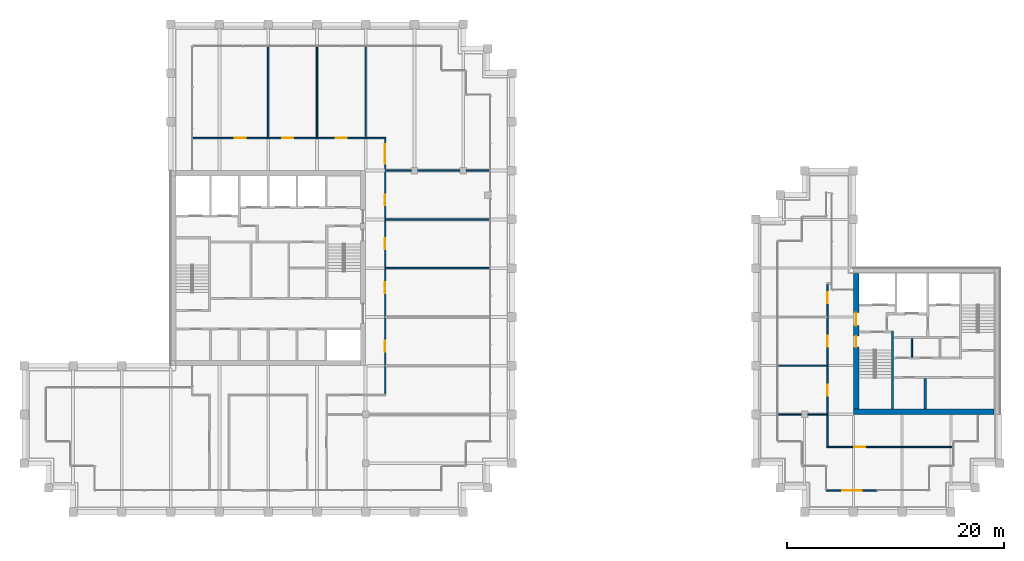
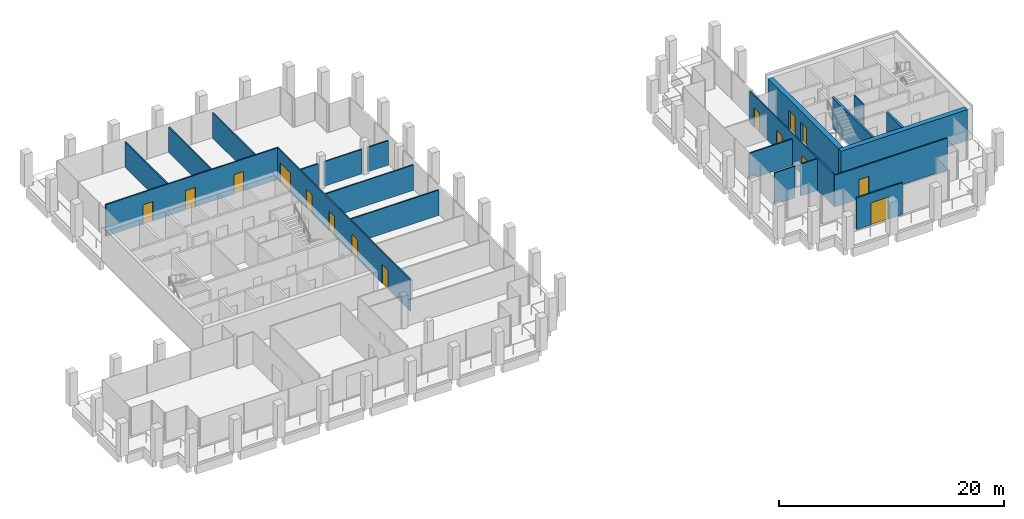
# One storey, part 37 of 41: 21 walls, 15 doors, 15 openings.
"""IFC4 building model written with IfcOpenShell, lengths in metres."""

from ifc_helpers import new_model, si_unit, direction, frame, frame_2d, origin, place, context, subcontext, project, spatial, rectangle, extrude, material, layer, layer_set, type_object, element, fill, save


model = new_model("IFC4")

# Units and contexts
model_context = context("Model", 3, precision=1e-05, world=origin(), true_north=direction((0.0, 1.0)))
body_context = subcontext(model_context, "Body", "Model", "MODEL_VIEW")
ifc_project = project(units=[si_unit("LENGTHUNIT", "METRE"), si_unit("AREAUNIT", "SQUARE_METRE"), si_unit("VOLUMEUNIT", "CUBIC_METRE"), si_unit("PLANEANGLEUNIT", "RADIAN"), si_unit("MASSUNIT", "GRAM", prefix="KILO")], contexts=[model_context])

# Site, building, storey
site_placement = place(None, origin())
site = spatial("IfcSite", under=ifc_project, at=site_placement, CompositionType="ELEMENT")
building_placement = place(site_placement, origin())
building = spatial("IfcBuilding", under=site, at=building_placement, Name="Altepetl Exchange Towers", CompositionType="ELEMENT")
storey_placement = place(building_placement, frame((0.0, 0.0, 206.39990234375)))
storey = spatial("IfcBuildingStorey", under=building, at=storey_placement, Name="L52", CompositionType="ELEMENT", Elevation=206.39990234375)

# Wall
ifc_material_1 = material(Name="Concrete C70/85", Category="concrete")
ifc_layer_1 = layer(ifc_material_1, 0.5)
ifc_layer_set_1 = layer_set([ifc_layer_1], Name="Concrete C70/85")
wall_type_1 = type_object("IfcWallType", Name="Core wall 500 reinforced concrete", PredefinedType="SHEAR", material=ifc_layer_set_1)
wall_1_placement = place(storey_placement, frame((103.5, 36.25, 0.0)))
element("IfcWall", 1, at=wall_1_placement, inside=storey, type_object=wall_type_1, Name="wall:B:L52:K-coreS", PredefinedType="SHEAR", context=body_context, shape_type="SweptSolid", body=[
    extrude(rectangle(XDim=13.0, YDim=0.5, at=frame_2d((6.5, 0.0))), origin(), (0.0, 0.0, 1.0), 3.35009765625),
])

# Wall, openings, doors
wall_2_placement = place(storey_placement, frame((103.75, 36.5, 0.0), z_axis=(0.0, 0.0, 1.0), x_axis=(0.0, 1.0, 0.0)))
wall_2 = element("IfcWall", 2, at=wall_2_placement, inside=storey, type_object=wall_type_1, Name="wall:B:L52:K-coreW", PredefinedType="SHEAR", context=body_context, shape_type="SweptSolid", body=[
    extrude(rectangle(XDim=12.5, YDim=0.5, at=frame_2d((6.25, 0.0))), origin(), (0.0, 0.0, 1.0), 3.35009765625),
])
opening_1_placement = place(wall_2_placement, frame((7.699951171875, 0.0, 0.0)))
opening_1 = element("IfcOpeningElement", 3, at=opening_1_placement, cuts=wall_2, Name="Opening L52.B60", PredefinedType="OPENING", context=body_context, shape_type="SweptSolid", body=[
    extrude(rectangle(XDim=1.199951171875, YDim=2.10009765625, at=frame_2d((0.60009765625, 1.050048828125))), frame((0.0, 0.260009765625, 0.0), z_axis=(0.0, -1.0, 0.0), x_axis=(1.0, 0.0, 0.0)), (0.0, 0.0, 1.0), 0.52001953125),
])
opening_2_placement = place(wall_2_placement, frame((5.72509765625, 0.0, 0.0)))
opening_2 = element("IfcOpeningElement", 4, at=opening_2_placement, cuts=wall_2, Name="Opening L52.B62", PredefinedType="OPENING", context=body_context, shape_type="SweptSolid", body=[
    extrude(rectangle(XDim=1.0, YDim=2.10009765625, at=frame_2d((0.5, 1.050048828125))), frame((0.0, 0.260009765625, 0.0), z_axis=(0.0, -1.0, 0.0), x_axis=(1.0, 0.0, 0.0)), (0.0, 0.0, 1.0), 0.52001953125),
])
ifc_material_2 = material(Name="Steel and timber fire door", Category="steel")
door_type_1 = type_object("IfcDoorType", Name="Fire door 1000 x 2100 stair and lobby", OperationType="SINGLE_SWING_LEFT", PredefinedType="DOOR", material=ifc_material_2)
door_1_placement = place(opening_2_placement, frame((1.0, 0.0, 0.0), x_axis=(-1.0, 0.0, 0.0)))
door_1 = element("IfcDoor", 5, at=door_1_placement, inside=storey, type_object=door_type_1, Name="door:B:L52:K-dS1x", OperationType="SINGLE_SWING_RIGHT", OverallHeight=2.10009765625, OverallWidth=1.0, PredefinedType="DOOR", context=body_context, shape_type="SweptSolid", body=[
    extrude(rectangle(XDim=1.0, YDim=2.10009765625, at=frame_2d((0.5, 1.050048828125))), frame((0.0, 0.02490234375, 0.0), z_axis=(0.0, -1.0, 0.0), x_axis=(1.0, 0.0, 0.0)), (0.0, 0.0, 1.0), 0.050048828125),
])
fill(opening_2, door_1)
door_type_2 = type_object("IfcDoorType", Name="Fire door 1200 x 2100 lobby entry", OperationType="SINGLE_SWING_LEFT", PredefinedType="DOOR", material=ifc_material_2)
door_2_placement = place(opening_1_placement, frame((1.199951171875, 0.0, 0.0), x_axis=(-1.0, 0.0, 0.0)))
door_2 = element("IfcDoor", 6, at=door_2_placement, inside=storey, type_object=door_type_2, Name="door:B:L52:K-dLNW", OperationType="SINGLE_SWING_RIGHT", OverallHeight=2.10009765625, OverallWidth=1.199951171875, PredefinedType="DOOR", context=body_context, shape_type="SweptSolid", body=[
    extrude(rectangle(XDim=1.199951171875, YDim=2.10009765625, at=frame_2d((0.60009765625, 1.050048828125))), frame((0.0, 0.02490234375, 0.0), z_axis=(0.0, -1.0, 0.0), x_axis=(1.0, 0.0, 0.0)), (0.0, 0.0, 1.0), 0.050048828125),
])
fill(opening_1, door_2)

# Wall, opening, door
ifc_material_3 = material(Name="Aluminium composite cladding", Category="aluminium")
ifc_layer_2 = layer(ifc_material_3, 0.14990234375)
ifc_layer_set_2 = layer_set([ifc_layer_2], Name="Aluminium composite cladding")
wall_type_2 = type_object("IfcWallType", Name="Infill wall 150 aluminium panel", PredefinedType="SOLIDWALL", material=ifc_layer_set_2)
wall_3_placement = place(storey_placement, frame((101.0, 29.0, 0.0)))
wall_3 = element("IfcWall", 7, at=wall_3_placement, inside=storey, type_object=wall_type_2, Name="Loggia door bay wall", PredefinedType="SOLIDWALL", context=body_context, shape_type="SweptSolid", body=[
    extrude(rectangle(XDim=4.71240234375, YDim=0.14990234375, at=frame_2d((2.356201171875, 0.0))), origin(), (0.0, 0.0, 1.0), 3.4501953125),
])
opening_3_placement = place(wall_3_placement, frame((1.456298828125, 0.0, 0.0)))
opening_3 = element("IfcOpeningElement", 8, at=opening_3_placement, cuts=wall_3, Name="Opening L52.B90", PredefinedType="OPENING", context=body_context, shape_type="SweptSolid", body=[
    extrude(rectangle(XDim=1.800048828125, YDim=2.39990234375, at=frame_2d((0.89990234375, 1.199951171875))), frame((0.0, 0.0849609375, 0.0), z_axis=(0.0, -1.0, 0.0), x_axis=(1.0, 0.0, 0.0)), (0.0, 0.0, 1.0), 0.169921875),
])
ifc_material_4 = material(Name="Aluminium 6063-T6 and glass", Category="aluminium")
door_type_3 = type_object("IfcDoorType", Name="Glazed door pair 1800x2400", OperationType="DOUBLE_DOOR_DOUBLE_SWING", PredefinedType="NOTDEFINED", material=ifc_material_4)
door_3_placement = place(opening_3_placement, frame((1.800048828125, 0.0, 0.0), x_axis=(-1.0, 0.0, 0.0)))
door_3 = element("IfcDoor", 9, at=door_3_placement, inside=storey, type_object=door_type_3, Name="Loggia door", OperationType="DOUBLE_DOOR_DOUBLE_SWING", OverallHeight=2.39990234375, OverallWidth=1.800048828125, PredefinedType="NOTDEFINED", context=body_context, shape_type="SweptSolid", body=[
    extrude(rectangle(XDim=1.800048828125, YDim=2.39990234375, at=frame_2d((0.89990234375, 1.199951171875))), frame((0.0, 0.02490234375, 0.0), z_axis=(0.0, -1.0, 0.0), x_axis=(1.0, 0.0, 0.0)), (0.0, 0.0, 1.0), 0.050048828125),
])
fill(opening_3, door_3)

# Walls
ifc_material_5 = material(Name="Timber panels on aluminium track", Category="wood")
ifc_layer_3 = layer(ifc_material_5, 0.125)
ifc_layer_set_3 = layer_set([ifc_layer_3], Name="Timber panels on aluminium track")
wall_type_3 = type_object("IfcWallType", Name="Operable acoustic partition 125", PredefinedType="MOVABLE", material=ifc_layer_set_3)
wall_4_placement = place(storey_placement, frame((96.60009765625, 40.5, 0.0)))
element("IfcWall", 10, at=wall_4_placement, inside=storey, type_object=wall_type_3, Name="wall:B:L52:P04", PredefinedType="MOVABLE", context=body_context, shape_type="SweptSolid", body=[
    extrude(rectangle(XDim=4.5, YDim=0.125, at=frame_2d((2.25, 0.0))), origin(), (0.0, 0.0, 1.0), 2.85107421875),
])
ifc_material_6 = material(Name="Gypsum board on steel studs", Category="steel")
ifc_layer_4 = layer(ifc_material_6, 0.125)
ifc_layer_set_4 = layer_set([ifc_layer_4], Name="Gypsum board on steel studs")
wall_type_4 = type_object("IfcWallType", Name="Partition 125 gypsum board on steel studs", PredefinedType="PARTITIONING", material=ifc_layer_set_4)
wall_5_placement = place(storey_placement, frame((108.89990234375, 41.300048828125, 0.0), z_axis=(0.0, 0.0, 1.0), x_axis=(0.0, 1.0, 0.0)))
element("IfcWall", 11, at=wall_5_placement, inside=storey, type_object=wall_type_4, Name="wall:B:L52:K-zp1", PredefinedType="PARTITIONING", context=body_context, shape_type="SweptSolid", body=[
    extrude(rectangle(XDim=1.699951171875, YDim=0.125, at=frame_2d((0.85009765625, 0.0))), origin(), (0.0, 0.0, 1.0), 3.35009765625),
])
for number, where, name in (
    (12, (60.300048828125, 49.5, 0.0), "wall:A:L52:P08"),
    (13, (60.300048828125, 54.0, 0.0), "wall:A:L52:P09"),
):
    element("IfcWall", number, at=place(storey_placement, frame(where)), inside=storey, type_object=wall_type_4, Name=name, PredefinedType="PARTITIONING", context=body_context, shape_type="SweptSolid", body=[
        extrude(rectangle(XDim=9.599853515625, YDim=0.125, at=frame_2d((4.7998046875, 0.0))), origin(), (0.0, 0.0, 1.0), 2.772216796875),
    ])
wall_6_placement = place(storey_placement, frame((60.300048828125, 58.5, 0.0)))
element("IfcWall", 14, at=wall_6_placement, inside=storey, type_object=wall_type_4, Name="wall:A:L52:P10", PredefinedType="PARTITIONING", context=body_context, shape_type="SweptSolid", body=[
    extrude(rectangle(XDim=2.39990234375, YDim=0.125, at=frame_2d((1.199951171875, 0.0))), origin(), (0.0, 0.0, 1.0), 2.676025390625),
])
wall_7_placement = place(storey_placement, frame((63.300048828125, 58.5, 0.0)))
element("IfcWall", 15, at=wall_7_placement, inside=storey, type_object=wall_type_4, Name="wall:A:L52:P11", PredefinedType="PARTITIONING", context=body_context, shape_type="SweptSolid", body=[
    extrude(rectangle(XDim=3.89990234375, YDim=0.125, at=frame_2d((1.949951171875, 0.0))), origin(), (0.0, 0.0, 1.0), 2.676025390625),
])
wall_8_placement = place(storey_placement, frame((67.800048828125, 58.5, 0.0)))
element("IfcWall", 16, at=wall_8_placement, inside=storey, type_object=wall_type_4, Name="wall:A:L52:P12", PredefinedType="PARTITIONING", context=body_context, shape_type="SweptSolid", body=[
    extrude(rectangle(XDim=2.099853515625, YDim=0.125, at=frame_2d((1.0498046875, 0.0))), origin(), (0.0, 0.0, 1.0), 2.676025390625),
])

# Wall, openings, doors
wall_9_placement = place(storey_placement, frame((42.60009765625, 61.5, 0.0)))
wall_9 = element("IfcWall", 17, at=wall_9_placement, inside=storey, type_object=wall_type_4, Name="wall:A:L52:P13", PredefinedType="PARTITIONING", context=body_context, shape_type="SweptSolid", body=[
    extrude(rectangle(XDim=17.762451171875, YDim=0.125, at=frame_2d((8.88134765625, 0.0))), origin(), (0.0, 0.0, 1.0), 3.4501953125),
])
opening_4_placement = place(wall_9_placement, frame((13.14990234375, 0.0, 0.0)))
opening_4 = element("IfcOpeningElement", 18, at=opening_4_placement, cuts=wall_9, Name="Opening L52.A10", PredefinedType="OPENING", context=body_context, shape_type="SweptSolid", body=[
    extrude(rectangle(XDim=1.0, YDim=2.10009765625, at=frame_2d((0.5, 1.050048828125))), frame((0.0, 0.072509765625, 0.0), z_axis=(0.0, -1.0, 0.0), x_axis=(1.0, 0.0, 0.0)), (0.0, 0.0, 1.0), 0.14501953125),
])
opening_5_placement = place(wall_9_placement, frame((8.195068359375, 0.0, 0.0)))
opening_5 = element("IfcOpeningElement", 19, at=opening_5_placement, cuts=wall_9, Name="Opening L52.A11", PredefinedType="OPENING", context=body_context, shape_type="SweptSolid", body=[
    extrude(rectangle(XDim=1.0, YDim=2.10009765625, at=frame_2d((0.5, 1.050048828125))), frame((0.0, 0.072509765625, 0.0), z_axis=(0.0, -1.0, 0.0), x_axis=(1.0, 0.0, 0.0)), (0.0, 0.0, 1.0), 0.14501953125),
])
opening_6_placement = place(wall_9_placement, frame((3.824951171875, 0.0, 0.0)))
opening_6 = element("IfcOpeningElement", 20, at=opening_6_placement, cuts=wall_9, Name="Opening L52.A12", PredefinedType="OPENING", context=body_context, shape_type="SweptSolid", body=[
    extrude(rectangle(XDim=1.0, YDim=2.10009765625, at=frame_2d((0.5, 1.050048828125))), frame((0.0, 0.072509765625, 0.0), z_axis=(0.0, -1.0, 0.0), x_axis=(1.0, 0.0, 0.0)), (0.0, 0.0, 1.0), 0.14501953125),
])
door_type_4 = type_object("IfcDoorType", Name="Fire door 1000 x 2100 single leaf", OperationType="SINGLE_SWING_LEFT", PredefinedType="DOOR", material=ifc_material_2)
door_4_placement = place(opening_4_placement, origin())
door_4 = element("IfcDoor", 21, at=door_4_placement, inside=storey, type_object=door_type_4, Name="door:A:L52:10", OperationType="SINGLE_SWING_LEFT", OverallHeight=2.10009765625, OverallWidth=1.0, PredefinedType="DOOR", context=body_context, shape_type="SweptSolid", body=[
    extrude(rectangle(XDim=1.0, YDim=2.10009765625, at=frame_2d((0.5, 1.050048828125))), frame((0.0, 0.02490234375, 0.0), z_axis=(0.0, -1.0, 0.0), x_axis=(1.0, 0.0, 0.0)), (0.0, 0.0, 1.0), 0.050048828125),
])
fill(opening_4, door_4)
door_5_placement = place(opening_5_placement, origin())
door_5 = element("IfcDoor", 22, at=door_5_placement, inside=storey, type_object=door_type_4, Name="door:A:L52:11", OperationType="SINGLE_SWING_RIGHT", OverallHeight=2.10009765625, OverallWidth=1.0, PredefinedType="DOOR", context=body_context, shape_type="SweptSolid", body=[
    extrude(rectangle(XDim=1.0, YDim=2.10009765625, at=frame_2d((0.5, 1.050048828125))), frame((0.0, 0.02490234375, 0.0), z_axis=(0.0, -1.0, 0.0), x_axis=(1.0, 0.0, 0.0)), (0.0, 0.0, 1.0), 0.050048828125),
])
fill(opening_5, door_5)
door_6_placement = place(opening_6_placement, origin())
door_6 = element("IfcDoor", 23, at=door_6_placement, inside=storey, type_object=door_type_4, Name="door:A:L52:12", OperationType="SINGLE_SWING_LEFT", OverallHeight=2.10009765625, OverallWidth=1.0, PredefinedType="DOOR", context=body_context, shape_type="SweptSolid", body=[
    extrude(rectangle(XDim=1.0, YDim=2.10009765625, at=frame_2d((0.5, 1.050048828125))), frame((0.0, 0.02490234375, 0.0), z_axis=(0.0, -1.0, 0.0), x_axis=(1.0, 0.0, 0.0)), (0.0, 0.0, 1.0), 0.050048828125),
])
fill(opening_6, door_6)

# Walls
for number, where, z_axis, x_axis, name in (
    (24, (49.5, 61.5, 0.0), (0.0, 0.0, 1.0), (0.0, 1.0, 0.0), "wall:A:L52:P17"),
    (25, (54.0, 61.5, 0.0), (0.0, 0.0, 1.0), (0.0, 1.0, 0.0), "wall:A:L52:P19"),
    (26, (58.5, 61.5, 0.0), (0.0, 0.0, 1.0), (0.0, 1.0, 0.0), "wall:A:L52:P21"),
):
    element("IfcWall", number, at=place(storey_placement, frame(where, z_axis=z_axis, x_axis=x_axis)), inside=storey, type_object=wall_type_4, Name=name, PredefinedType="PARTITIONING", context=body_context, shape_type="SweptSolid", body=[
        extrude(rectangle(XDim=8.39990234375, YDim=0.125, at=frame_2d((4.199951171875, 0.0))), origin(), (0.0, 0.0, 1.0), 2.772216796875),
    ])

# Wall, openings, doors
wall_10_placement = place(storey_placement, frame((60.300048828125, 37.862548828125, 0.0), z_axis=(0.0, 0.0, 1.0), x_axis=(0.0, 1.0, 0.0)))
wall_10 = element("IfcWall", 27, at=wall_10_placement, inside=storey, type_object=wall_type_4, Name="wall:A:L52:P22", PredefinedType="PARTITIONING", context=body_context, shape_type="SweptSolid", body=[
    extrude(rectangle(XDim=23.574951171875, YDim=0.125, at=frame_2d((11.78759765625, 0.0))), origin(), (0.0, 0.0, 1.0), 3.4501953125),
])
opening_7_placement = place(wall_10_placement, frame((3.9326171875, 0.0, 0.0)))
opening_7 = element("IfcOpeningElement", 28, at=opening_7_placement, cuts=wall_10, Name="Opening L52.A05", PredefinedType="OPENING", context=body_context, shape_type="SweptSolid", body=[
    extrude(rectangle(XDim=1.0, YDim=2.10009765625, at=frame_2d((0.5, 1.050048828125))), frame((0.0, 0.072509765625, 0.0), z_axis=(0.0, -1.0, 0.0), x_axis=(1.0, 0.0, 0.0)), (0.0, 0.0, 1.0), 0.14501953125),
])
opening_8_placement = place(wall_10_placement, frame((9.342529296875, 0.0, 0.0)))
opening_8 = element("IfcOpeningElement", 29, at=opening_8_placement, cuts=wall_10, Name="Opening L52.A06", PredefinedType="OPENING", context=body_context, shape_type="SweptSolid", body=[
    extrude(rectangle(XDim=1.0, YDim=2.10009765625, at=frame_2d((0.5, 1.050048828125))), frame((0.0, 0.072509765625, 0.0), z_axis=(0.0, -1.0, 0.0), x_axis=(1.0, 0.0, 0.0)), (0.0, 0.0, 1.0), 0.14501953125),
])
opening_9_placement = place(wall_10_placement, frame((13.387451171875, 0.0, 0.0)))
opening_9 = element("IfcOpeningElement", 30, at=opening_9_placement, cuts=wall_10, Name="Opening L52.A07", PredefinedType="OPENING", context=body_context, shape_type="SweptSolid", body=[
    extrude(rectangle(XDim=1.0, YDim=2.10009765625, at=frame_2d((0.5, 1.050048828125))), frame((0.0, 0.072509765625, 0.0), z_axis=(0.0, -1.0, 0.0), x_axis=(1.0, 0.0, 0.0)), (0.0, 0.0, 1.0), 0.14501953125),
])
opening_10_placement = place(wall_10_placement, frame((17.4326171875, 0.0, 0.0)))
opening_10 = element("IfcOpeningElement", 31, at=opening_10_placement, cuts=wall_10, Name="Opening L52.A08", PredefinedType="OPENING", context=body_context, shape_type="SweptSolid", body=[
    extrude(rectangle(XDim=1.0, YDim=2.10009765625, at=frame_2d((0.5, 1.050048828125))), frame((0.0, 0.072509765625, 0.0), z_axis=(0.0, -1.0, 0.0), x_axis=(1.0, 0.0, 0.0)), (0.0, 0.0, 1.0), 0.14501953125),
])
opening_11_placement = place(wall_10_placement, frame((21.29052734375, 0.0, 0.0)))
opening_11 = element("IfcOpeningElement", 32, at=opening_11_placement, cuts=wall_10, Name="Opening L52.A09", PredefinedType="OPENING", context=body_context, shape_type="SweptSolid", body=[
    extrude(rectangle(XDim=1.800048828125, YDim=2.10009765625, at=frame_2d((0.89990234375, 1.050048828125))), frame((0.0, 0.072509765625, 0.0), z_axis=(0.0, -1.0, 0.0), x_axis=(1.0, 0.0, 0.0)), (0.0, 0.0, 1.0), 0.14501953125),
])
door_7_placement = place(opening_7_placement, frame((1.0, 0.0, 0.0), x_axis=(-1.0, 0.0, 0.0)))
door_7 = element("IfcDoor", 33, at=door_7_placement, inside=storey, type_object=door_type_4, Name="door:A:L52:05", OperationType="SINGLE_SWING_LEFT", OverallHeight=2.10009765625, OverallWidth=1.0, PredefinedType="DOOR", context=body_context, shape_type="SweptSolid", body=[
    extrude(rectangle(XDim=1.0, YDim=2.10009765625, at=frame_2d((0.5, 1.050048828125))), frame((0.0, 0.02490234375, 0.0), z_axis=(0.0, -1.0, 0.0), x_axis=(1.0, 0.0, 0.0)), (0.0, 0.0, 1.0), 0.050048828125),
])
fill(opening_7, door_7)
door_8_placement = place(opening_8_placement, frame((1.0, 0.0, 0.0), x_axis=(-1.0, 0.0, 0.0)))
door_8 = element("IfcDoor", 34, at=door_8_placement, inside=storey, type_object=door_type_4, Name="door:A:L52:06", OperationType="SINGLE_SWING_RIGHT", OverallHeight=2.10009765625, OverallWidth=1.0, PredefinedType="DOOR", context=body_context, shape_type="SweptSolid", body=[
    extrude(rectangle(XDim=1.0, YDim=2.10009765625, at=frame_2d((0.5, 1.050048828125))), frame((0.0, 0.02490234375, 0.0), z_axis=(0.0, -1.0, 0.0), x_axis=(1.0, 0.0, 0.0)), (0.0, 0.0, 1.0), 0.050048828125),
])
fill(opening_8, door_8)
door_9_placement = place(opening_9_placement, frame((1.0, 0.0, 0.0), x_axis=(-1.0, 0.0, 0.0)))
door_9 = element("IfcDoor", 35, at=door_9_placement, inside=storey, type_object=door_type_4, Name="door:A:L52:07", OperationType="SINGLE_SWING_LEFT", OverallHeight=2.10009765625, OverallWidth=1.0, PredefinedType="DOOR", context=body_context, shape_type="SweptSolid", body=[
    extrude(rectangle(XDim=1.0, YDim=2.10009765625, at=frame_2d((0.5, 1.050048828125))), frame((0.0, 0.02490234375, 0.0), z_axis=(0.0, -1.0, 0.0), x_axis=(1.0, 0.0, 0.0)), (0.0, 0.0, 1.0), 0.050048828125),
])
fill(opening_9, door_9)
door_10_placement = place(opening_10_placement, frame((1.0, 0.0, 0.0), x_axis=(-1.0, 0.0, 0.0)))
door_10 = element("IfcDoor", 36, at=door_10_placement, inside=storey, type_object=door_type_4, Name="door:A:L52:08", OperationType="SINGLE_SWING_RIGHT", OverallHeight=2.10009765625, OverallWidth=1.0, PredefinedType="DOOR", context=body_context, shape_type="SweptSolid", body=[
    extrude(rectangle(XDim=1.0, YDim=2.10009765625, at=frame_2d((0.5, 1.050048828125))), frame((0.0, 0.02490234375, 0.0), z_axis=(0.0, -1.0, 0.0), x_axis=(1.0, 0.0, 0.0)), (0.0, 0.0, 1.0), 0.050048828125),
])
fill(opening_10, door_10)
door_type_5 = type_object("IfcDoorType", Name="Fire door 1800 x 2100 double leaf", OperationType="DOUBLE_DOOR_SINGLE_SWING", PredefinedType="DOOR", material=ifc_material_2)
door_11_placement = place(opening_11_placement, frame((1.800048828125, 0.0, 0.0), x_axis=(-1.0, 0.0, 0.0)))
door_11 = element("IfcDoor", 37, at=door_11_placement, inside=storey, type_object=door_type_5, Name="door:A:L52:09", OperationType="DOUBLE_DOOR_SINGLE_SWING", OverallHeight=2.10009765625, OverallWidth=1.800048828125, PredefinedType="DOOR", context=body_context, shape_type="SweptSolid", body=[
    extrude(rectangle(XDim=1.800048828125, YDim=2.10009765625, at=frame_2d((0.89990234375, 1.050048828125))), frame((0.0, 0.02490234375, 0.0), z_axis=(0.0, -1.0, 0.0), x_axis=(1.0, 0.0, 0.0)), (0.0, 0.0, 1.0), 0.050048828125),
])
fill(opening_11, door_11)

# Wall, opening, door
wall_11_placement = place(storey_placement, frame((101.03759765625, 33.0, 0.0)))
wall_11 = element("IfcWall", 38, at=wall_11_placement, inside=storey, type_object=wall_type_4, Name="wall:B:L52:P01", PredefinedType="PARTITIONING", context=body_context, shape_type="SweptSolid", body=[
    extrude(rectangle(XDim=11.6123046875, YDim=0.125, at=frame_2d((5.80615234375, 0.0))), origin(), (0.0, 0.0, 1.0), 3.4501953125),
])
opening_12_placement = place(wall_11_placement, frame((2.54248046875, 0.0, 0.0)))
opening_12 = element("IfcOpeningElement", 39, at=opening_12_placement, cuts=wall_11, Name="Opening L52.B02", PredefinedType="OPENING", context=body_context, shape_type="SweptSolid", body=[
    extrude(rectangle(XDim=1.0, YDim=2.10009765625, at=frame_2d((0.5, 1.050048828125))), frame((0.0, 0.072509765625, 0.0), z_axis=(0.0, -1.0, 0.0), x_axis=(1.0, 0.0, 0.0)), (0.0, 0.0, 1.0), 0.14501953125),
])
door_12_placement = place(opening_12_placement, frame((1.0, 0.0, 0.0), x_axis=(-1.0, 0.0, 0.0)))
door_12 = element("IfcDoor", 40, at=door_12_placement, inside=storey, type_object=door_type_4, Name="door:B:L52:02", OperationType="SINGLE_SWING_LEFT", OverallHeight=2.10009765625, OverallWidth=1.0, PredefinedType="DOOR", context=body_context, shape_type="SweptSolid", body=[
    extrude(rectangle(XDim=1.0, YDim=2.10009765625, at=frame_2d((0.5, 1.050048828125))), frame((0.0, 0.02490234375, 0.0), z_axis=(0.0, -1.0, 0.0), x_axis=(1.0, 0.0, 0.0)), (0.0, 0.0, 1.0), 0.050048828125),
])
fill(opening_12, door_12)

# Walls
wall_12_placement = place(storey_placement, frame((96.60009765625, 36.0, 0.0)))
element("IfcWall", 41, at=wall_12_placement, inside=storey, type_object=wall_type_4, Name="wall:B:L52:P02", PredefinedType="PARTITIONING", context=body_context, shape_type="SweptSolid", body=[
    extrude(rectangle(XDim=2.099853515625, YDim=0.125, at=frame_2d((1.0498046875, 0.0))), origin(), (0.0, 0.0, 1.0), 3.4501953125),
])
wall_13_placement = place(storey_placement, frame((99.300048828125, 36.0, 0.0)))
element("IfcWall", 42, at=wall_13_placement, inside=storey, type_object=wall_type_4, Name="wall:B:L52:P03", PredefinedType="PARTITIONING", context=body_context, shape_type="SweptSolid", body=[
    extrude(rectangle(XDim=1.800048828125, YDim=0.125, at=frame_2d((0.89990234375, 0.0))), origin(), (0.0, 0.0, 1.0), 3.4501953125),
])

# Wall, openings, doors
wall_14_placement = place(storey_placement, frame((101.10009765625, 33.0625, 0.0), z_axis=(0.0, 0.0, 1.0), x_axis=(0.0, 1.0, 0.0)))
wall_14 = element("IfcWall", 43, at=wall_14_placement, inside=storey, type_object=wall_type_4, Name="wall:B:L52:P07", PredefinedType="PARTITIONING", context=body_context, shape_type="SweptSolid", body=[
    extrude(rectangle(XDim=14.97509765625, YDim=0.125, at=frame_2d((7.487548828125, 0.0))), origin(), (0.0, 0.0, 1.0), 3.4501953125),
])
opening_13_placement = place(wall_14_placement, frame((4.6875, 0.0, 0.0)))
opening_13 = element("IfcOpeningElement", 44, at=opening_13_placement, cuts=wall_14, Name="Opening L52.B01", PredefinedType="OPENING", context=body_context, shape_type="SweptSolid", body=[
    extrude(rectangle(XDim=1.0, YDim=2.10009765625, at=frame_2d((0.5, 1.050048828125))), frame((0.0, 0.072509765625, 0.0), z_axis=(0.0, -1.0, 0.0), x_axis=(1.0, 0.0, 0.0)), (0.0, 0.0, 1.0), 0.14501953125),
])
opening_14_placement = place(wall_14_placement, frame((13.197509765625, 0.0, 0.0)))
opening_14 = element("IfcOpeningElement", 45, at=opening_14_placement, cuts=wall_14, Name="Opening L52.B03", PredefinedType="OPENING", context=body_context, shape_type="SweptSolid", body=[
    extrude(rectangle(XDim=1.0, YDim=2.10009765625, at=frame_2d((0.5, 1.050048828125))), frame((0.0, 0.072509765625, 0.0), z_axis=(0.0, -1.0, 0.0), x_axis=(1.0, 0.0, 0.0)), (0.0, 0.0, 1.0), 0.14501953125),
])
opening_15_placement = place(wall_14_placement, frame((9.1875, 0.0, 0.0)))
opening_15 = element("IfcOpeningElement", 46, at=opening_15_placement, cuts=wall_14, Name="Opening L52.B04", PredefinedType="OPENING", context=body_context, shape_type="SweptSolid", body=[
    extrude(rectangle(XDim=1.0, YDim=2.10009765625, at=frame_2d((0.5, 1.050048828125))), frame((0.0, 0.072509765625, 0.0), z_axis=(0.0, -1.0, 0.0), x_axis=(1.0, 0.0, 0.0)), (0.0, 0.0, 1.0), 0.14501953125),
])
door_13_placement = place(opening_13_placement, origin())
door_13 = element("IfcDoor", 47, at=door_13_placement, inside=storey, type_object=door_type_4, Name="door:B:L52:01", OperationType="SINGLE_SWING_RIGHT", OverallHeight=2.10009765625, OverallWidth=1.0, PredefinedType="DOOR", context=body_context, shape_type="SweptSolid", body=[
    extrude(rectangle(XDim=1.0, YDim=2.10009765625, at=frame_2d((0.5, 1.050048828125))), frame((0.0, 0.02490234375, 0.0), z_axis=(0.0, -1.0, 0.0), x_axis=(1.0, 0.0, 0.0)), (0.0, 0.0, 1.0), 0.050048828125),
])
fill(opening_13, door_13)
door_14_placement = place(opening_14_placement, origin())
door_14 = element("IfcDoor", 48, at=door_14_placement, inside=storey, type_object=door_type_4, Name="door:B:L52:03", OperationType="SINGLE_SWING_RIGHT", OverallHeight=2.10009765625, OverallWidth=1.0, PredefinedType="DOOR", context=body_context, shape_type="SweptSolid", body=[
    extrude(rectangle(XDim=1.0, YDim=2.10009765625, at=frame_2d((0.5, 1.050048828125))), frame((0.0, 0.02490234375, 0.0), z_axis=(0.0, -1.0, 0.0), x_axis=(1.0, 0.0, 0.0)), (0.0, 0.0, 1.0), 0.050048828125),
])
fill(opening_14, door_14)
door_15_placement = place(opening_15_placement, origin())
door_15 = element("IfcDoor", 49, at=door_15_placement, inside=storey, type_object=door_type_4, Name="door:B:L52:04", OperationType="SINGLE_SWING_LEFT", OverallHeight=2.10009765625, OverallWidth=1.0, PredefinedType="DOOR", context=body_context, shape_type="SweptSolid", body=[
    extrude(rectangle(XDim=1.0, YDim=2.10009765625, at=frame_2d((0.5, 1.050048828125))), frame((0.0, 0.02490234375, 0.0), z_axis=(0.0, -1.0, 0.0), x_axis=(1.0, 0.0, 0.0)), (0.0, 0.0, 1.0), 0.050048828125),
])
fill(opening_15, door_15)

# Walls
ifc_layer_5 = layer(ifc_material_1, 0.199951171875)
ifc_layer_set_5 = layer_set([ifc_layer_5], Name="Concrete C70/85")
wall_type_5 = type_object("IfcWallType", Name="Shear wall 200 reinforced concrete", PredefinedType="SHEAR", material=ifc_layer_set_5)
wall_15_placement = place(storey_placement, frame((110.13330078125, 36.5, 0.0), z_axis=(0.0, 0.0, 1.0), x_axis=(0.0, 1.0, 0.0)))
element("IfcWall", 50, at=wall_15_placement, inside=storey, type_object=wall_type_5, Name="wall:B:L52:K-divS1", PredefinedType="SHEAR", context=body_context, shape_type="SweptSolid", body=[
    extrude(rectangle(XDim=2.800048828125, YDim=0.199951171875, at=frame_2d((1.39990234375, 0.0))), origin(), (0.0, 0.0, 1.0), 3.35009765625),
])
ifc_material_7 = material(Name="Concrete C40/50", Category="concrete")
ifc_layer_6 = layer(ifc_material_7, 0.199951171875)
ifc_layer_set_6 = layer_set([ifc_layer_6], Name="Concrete C40/50")
wall_type_6 = type_object("IfcWallType", Name="Stair wall 200 reinforced concrete", PredefinedType="SHEAR", material=ifc_layer_set_6)
wall_16_placement = place(storey_placement, frame((107.10009765625, 36.5, 0.0), z_axis=(0.0, 0.0, 1.0), x_axis=(0.0, 1.0, 0.0)))
element("IfcWall", 51, at=wall_16_placement, inside=storey, type_object=wall_type_6, Name="wall:B:L52:K-stS1E", PredefinedType="SHEAR", context=body_context, shape_type="SweptSolid", body=[
    extrude(rectangle(XDim=7.199951171875, YDim=0.199951171875, at=frame_2d((3.60009765625, 0.0))), origin(), (0.0, 0.0, 1.0), 3.35009765625),
])

save(model, "model.ifc")
